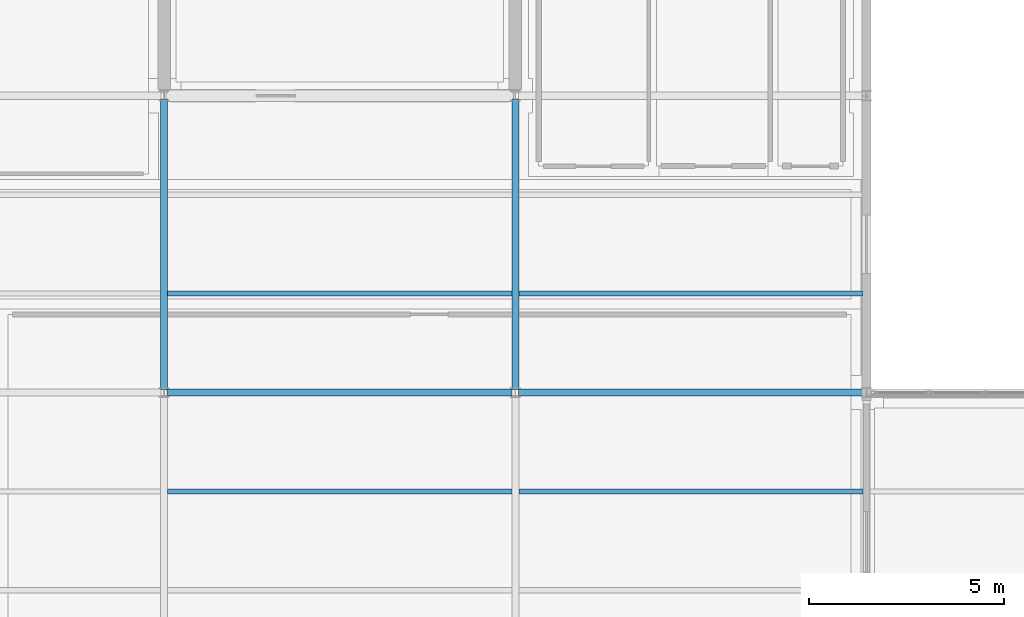
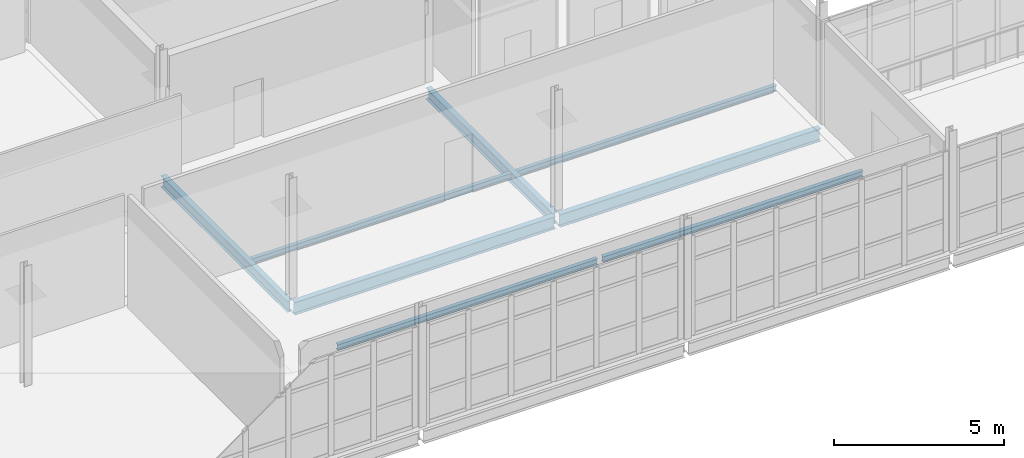
# One storey, part 85 of 166: 8 beams.
"""IFC4 building model written with IfcOpenShell, lengths in metres."""

from ifc_helpers import new_model, si_unit, direction, frame, origin, origin_2d, place, context, subcontext, project, spatial, i_section, extrude, material, material_profile, profile_set, type_object, element, save


model = new_model("IFC4")

# Units and contexts
model_context = context("Model", 3, precision=1e-05, world=origin(), true_north=direction((0.0, 1.0)))
body_context = subcontext(model_context, "Body", "Model", "MODEL_VIEW")
ifc_project = project(units=[si_unit("LENGTHUNIT", "METRE"), si_unit("AREAUNIT", "SQUARE_METRE"), si_unit("VOLUMEUNIT", "CUBIC_METRE"), si_unit("PLANEANGLEUNIT", "RADIAN"), si_unit("MASSUNIT", "GRAM", prefix="KILO")], contexts=[model_context])

# Site, building, storey
site_placement = place(None, origin())
site = spatial("IfcSite", under=ifc_project, at=site_placement, CompositionType="ELEMENT")
building_placement = place(site_placement, origin())
building = spatial("IfcBuilding", under=site, at=building_placement, Name="Caisbarro Railhouse Central Library", CompositionType="ELEMENT")
storey_placement = place(building_placement, frame((0.0, 0.0, 9.360107421875)))
storey = spatial("IfcBuildingStorey", under=building, at=storey_placement, Name="L02", CompositionType="ELEMENT", Elevation=9.360107421875)

# Beams
ifc_material = material(Name="Steel ASTM A572 Grade 50", Category="steel")
ifc_material_profile_1 = material_profile(ifc_material, i_section(OverallWidth=0.18994140625, OverallDepth=0.45703125, WebThickness=0.009033203125, FlangeThickness=0.014404296875, FilletRadius=0.01806640625, at=origin_2d()), Name="W460X74.0")
ifc_profile_set_1 = profile_set([ifc_material_profile_1], Name="Steel ASTM A572 Grade 50")
beam_type_1 = type_object("IfcBeamType", Name="BM-G08", PredefinedType="BEAM", material=ifc_profile_set_1)
for number, where, z_axis, x_axis, name in (
    (1, (81.080078125, 91.199951171875, -0.4287109375), (1.0, 0.0, 0.0), (0.0, 1.0, 0.0), "G08 beam L02 #1660"),
    (2, (90.080078125, 91.199951171875, -0.4287109375), (1.0, 0.0, 0.0), (0.0, 1.0, 0.0), "G08 beam L02 #1661"),
):
    element("IfcBeam", number, at=place(storey_placement, frame(where, z_axis=z_axis, x_axis=x_axis)), inside=storey, type_object=beam_type_1, Name=name, PredefinedType="BEAM", context=body_context, shape_type="SweptSolid", body=[
        extrude(i_section(OverallWidth=0.18994140625, OverallDepth=0.45703125, WebThickness=0.009033203125, FlangeThickness=0.014404296875, FilletRadius=0.01806640625, at=origin_2d()), origin(), (0.0, 0.0, 1.0), 8.83984375),
    ])
ifc_material_profile_2 = material_profile(ifc_material, i_section(OverallWidth=0.177978515625, OverallDepth=0.406982421875, WebThickness=0.0078125, FlangeThickness=0.0126953125, FilletRadius=0.01611328125, at=origin_2d()), Name="W410X60.0")
ifc_profile_set_2 = profile_set([ifc_material_profile_2], Name="Steel ASTM A572 Grade 50")
beam_type_2 = type_object("IfcBeamType", Name="BM-G10", PredefinedType="BEAM", material=ifc_profile_set_2)
for number, where, z_axis, x_axis, name in (
    (3, (81.0, 91.280029296875, -0.403564453125), (0.0, 1.0, 0.0), (-1.0, 0.0, 0.0), "G10 beam L02 #1682"),
    (4, (90.0, 91.280029296875, -0.403564453125), (0.0, 1.0, 0.0), (-1.0, 0.0, 0.0), "G10 beam L02 #1685"),
):
    element("IfcBeam", number, at=place(storey_placement, frame(where, z_axis=z_axis, x_axis=x_axis)), inside=storey, type_object=beam_type_2, Name=name, PredefinedType="BEAM", context=body_context, shape_type="SweptSolid", body=[
        extrude(i_section(OverallWidth=0.177978515625, OverallDepth=0.406982421875, WebThickness=0.0078125, FlangeThickness=0.0126953125, FilletRadius=0.01611328125, at=origin_2d()), origin(), (0.0, 0.0, 1.0), 7.43994140625),
    ])
ifc_material_profile_3 = material_profile(ifc_material, i_section(OverallWidth=0.133056640625, OverallDepth=0.20703125, WebThickness=0.005859375, FlangeThickness=0.00830078125, FilletRadius=0.010009765625, at=origin_2d()), Name="W200X26.6")
ifc_profile_set_3 = profile_set([ifc_material_profile_3], Name="Steel ASTM A572 Grade 50")
beam_type_3 = type_object("IfcBeamType", Name="BM-J07", PredefinedType="JOIST", material=ifc_profile_set_3)
for number, where, z_axis, x_axis, name in (
    (5, (81.089111328125, 88.666748046875, -0.3037109375), (1.0, 0.0, 0.0), (0.0, 1.0, 0.0), "J07 beam L02 #1709"),
    (6, (81.089111328125, 93.7333984375, -0.3037109375), (1.0, 0.0, 0.0), (0.0, 1.0, 0.0), "J07 beam L02 #1710"),
    (7, (90.089111328125, 88.666748046875, -0.3037109375), (1.0, 0.0, 0.0), (0.0, 1.0, 0.0), "J07 beam L02 #1713"),
    (8, (90.089111328125, 93.7333984375, -0.3037109375), (1.0, 0.0, 0.0), (0.0, 1.0, 0.0), "J07 beam L02 #1714"),
):
    element("IfcBeam", number, at=place(storey_placement, frame(where, z_axis=z_axis, x_axis=x_axis)), inside=storey, type_object=beam_type_3, Name=name, PredefinedType="JOIST", context=body_context, shape_type="SweptSolid", body=[
        extrude(i_section(OverallWidth=0.133056640625, OverallDepth=0.20703125, WebThickness=0.005859375, FlangeThickness=0.00830078125, FilletRadius=0.010009765625, at=origin_2d()), origin(), (0.0, 0.0, 1.0), 8.82177734375),
    ])

save(model, "model.ifc")
